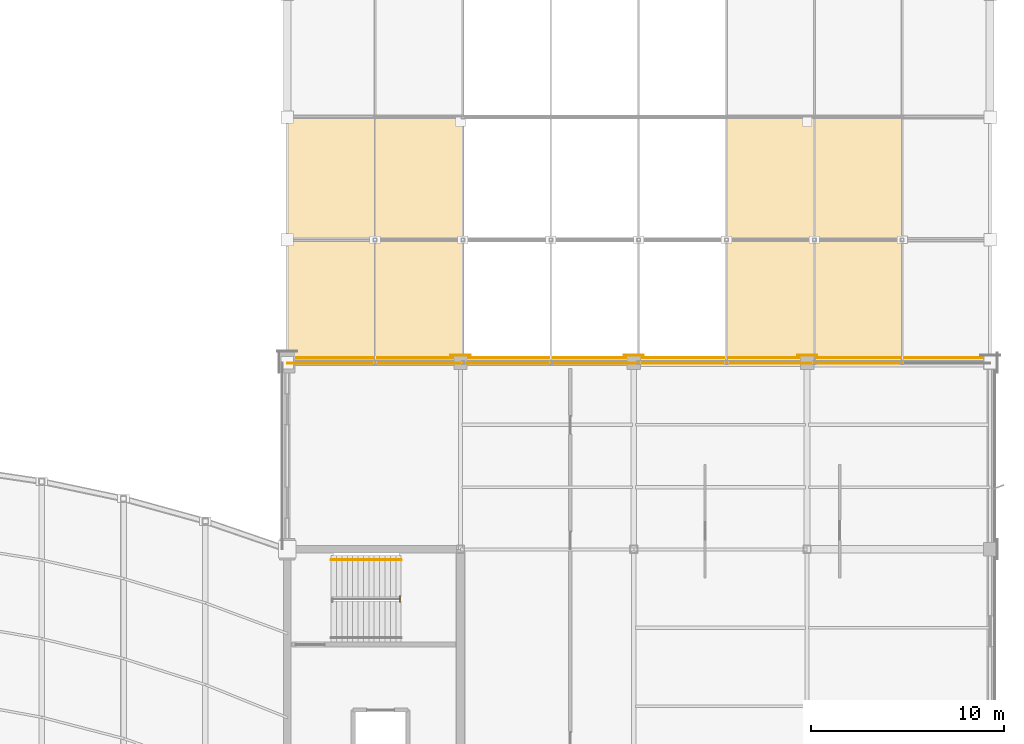
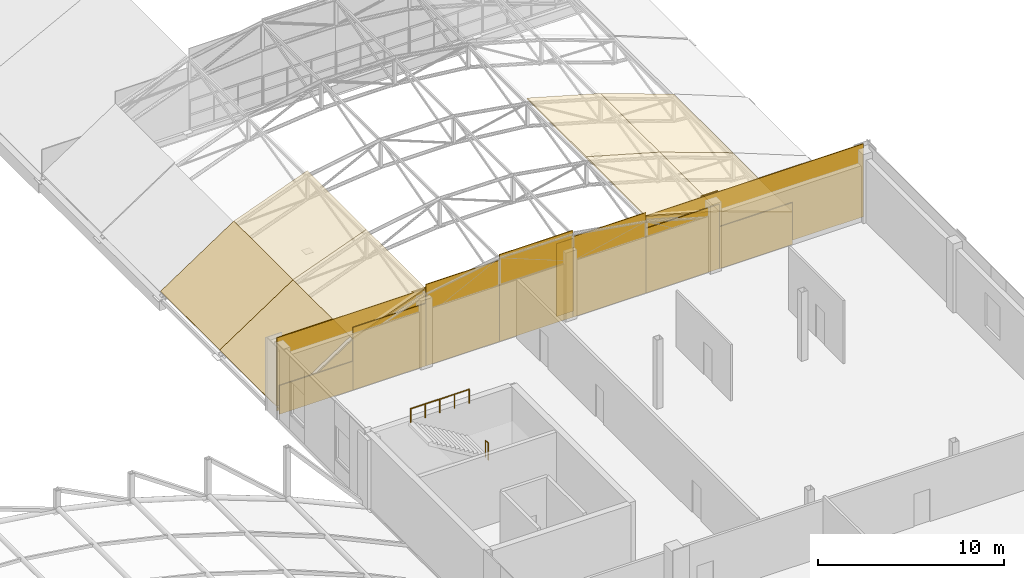
# One storey, part 99 of 101: 19 coverings, 2 railings.
"""IFC4 building model written with IfcOpenShell, lengths in metres."""

from ifc_helpers import new_model, si_unit, direction, frame, origin, origin_2d, place, context, subcontext, project, spatial, polyline, rectangle, circle, outline, extrude, material, layer, layer_set, type_object, element, save


model = new_model("IFC4")

# Units and contexts
model_context = context("Model", 3, precision=1e-05, world=origin(), true_north=direction((0.0, 1.0)))
body_context = subcontext(model_context, "Body", "Model", "MODEL_VIEW")
ifc_project = project(units=[si_unit("LENGTHUNIT", "METRE"), si_unit("AREAUNIT", "SQUARE_METRE"), si_unit("VOLUMEUNIT", "CUBIC_METRE"), si_unit("PLANEANGLEUNIT", "RADIAN"), si_unit("MASSUNIT", "GRAM", prefix="KILO")], contexts=[model_context])

# Site, building, storey
site_placement = place(None, origin())
site = spatial("IfcSite", under=ifc_project, at=site_placement, CompositionType="ELEMENT")
building_placement = place(site_placement, origin())
building = spatial("IfcBuilding", under=site, at=building_placement, Name="Solvikara Media Centre", CompositionType="ELEMENT")
storey_placement = place(building_placement, frame((0.0, 0.0, 10.199951171875)))
storey = spatial("IfcBuildingStorey", under=building, at=storey_placement, Name="L02", CompositionType="ELEMENT", Elevation=10.199951171875)

# Coverings
ifc_material_1 = material(Name="Insulated standing-seam aluminium-zinc acoustic roofing", Category="aluminium")
ifc_layer_1 = layer(ifc_material_1, 0.080078125)
ifc_layer_set_1 = layer_set([ifc_layer_1], Name="Insulated standing-seam aluminium-zinc acoustic roofing")
covering_type_1 = type_object("IfcCoveringType", Name="CV-03", PredefinedType="ROOFING", material=ifc_layer_set_1)
covering_1_placement = place(storey_placement, frame((127.5, 46.5, 0.280029296875), z_axis=(-0.552774199912, 0.0, 0.833331077011), x_axis=(0.833331077011, 0.0, 0.552774199912)))
element("IfcCovering", 1, at=covering_1_placement, inside=storey, type_object=covering_type_1, Name="CV-BSA-00-00", PredefinedType="ROOFING", context=body_context, shape_type="SweptSolid", body=[
    extrude(outline(polyline([(0.0, 0.0), (5.474428884992513, 0.0), (5.474428884992513, 6.375000000000002), (0.0, 6.375000000000002), (0.0, 0.0)])), origin(), (0.0, 0.0, -1.0), 0.080078125),
])
covering_2_placement = place(storey_placement, frame((132.06201171875, 46.5, 3.30615234375), z_axis=(-0.350914788699, 0.0, 0.936407395887), x_axis=(0.936407395887, 0.0, 0.350914788699)))
element("IfcCovering", 2, at=covering_2_placement, inside=storey, type_object=covering_type_1, Name="CV-BSA-00-01", PredefinedType="ROOFING", context=body_context, shape_type="SweptSolid", body=[
    extrude(outline(polyline([(0.0, 0.0), (4.872866554975697, 0.0), (4.872866554975697, 6.375), (0.0, 6.375), (0.0, 0.0)])), origin(), (0.0, 0.0, -1.0), 0.080078125),
])
covering_3_placement = place(storey_placement, frame((150.31201171875, 46.5, 5.007080078125), z_axis=(0.272626398556, 0.0, 0.962119975268), x_axis=(0.962119975268, 0.0, -0.272626398556)))
element("IfcCovering", 3, at=covering_3_placement, inside=storey, type_object=covering_type_1, Name="CV-BSA-00-05", PredefinedType="ROOFING", context=body_context, shape_type="SweptSolid", body=[
    extrude(outline(polyline([(0.0, 0.0), (4.7426395860640085, 0.0), (4.7426395860640085, 6.375), (0.0, 6.375), (0.0, 0.0)])), origin(), (0.0, 0.0, -1.0), 0.080078125),
])
covering_4_placement = place(storey_placement, frame((154.875, 46.5, 3.714111328125), z_axis=(0.338612503303, 0.0, 0.94092591239), x_axis=(0.94092591239, 0.0, -0.338612503303)))
element("IfcCovering", 4, at=covering_4_placement, inside=storey, type_object=covering_type_1, Name="CV-BSA-00-06", PredefinedType="ROOFING", context=body_context, shape_type="SweptSolid", body=[
    extrude(outline(polyline([(0.0, 0.0), (4.849466064400464, 0.0), (4.849466064400464, 6.375), (0.0, 6.375), (0.0, 0.0)])), origin(), (0.0, 0.0, -1.0), 0.080078125),
])
covering_5_placement = place(storey_placement, frame((127.5, 52.875, 0.280029296875), z_axis=(-0.552774199912, 0.0, 0.833331077011), x_axis=(0.833331077011, 0.0, 0.552774199912)))
element("IfcCovering", 5, at=covering_5_placement, inside=storey, type_object=covering_type_1, Name="CV-BSA-01-00", PredefinedType="ROOFING", context=body_context, shape_type="SweptSolid", body=[
    extrude(outline(polyline([(0.0, 0.0), (5.474428884992513, 0.0), (5.474428884992513, 6.375000000000002), (0.0, 6.375000000000002), (0.0, 0.0)])), origin(), (0.0, 0.0, -1.0), 0.080078125),
])
covering_6_placement = place(storey_placement, frame((132.06201171875, 52.875, 3.30615234375), z_axis=(-0.350914788699, 0.0, 0.936407395887), x_axis=(0.936407395887, 0.0, 0.350914788699)))
element("IfcCovering", 6, at=covering_6_placement, inside=storey, type_object=covering_type_1, Name="CV-BSA-01-01", PredefinedType="ROOFING", context=body_context, shape_type="SweptSolid", body=[
    extrude(outline(polyline([(0.0, 0.0), (4.872866554975697, 0.0), (4.872866554975697, 6.375), (0.0, 6.375), (0.0, 0.0)])), origin(), (0.0, 0.0, -1.0), 0.080078125),
])
covering_7_placement = place(storey_placement, frame((150.31201171875, 52.875, 5.007080078125), z_axis=(0.272626398556, 0.0, 0.962119975268), x_axis=(0.962119975268, 0.0, -0.272626398556)))
element("IfcCovering", 7, at=covering_7_placement, inside=storey, type_object=covering_type_1, Name="CV-BSA-01-05", PredefinedType="ROOFING", context=body_context, shape_type="SweptSolid", body=[
    extrude(outline(polyline([(0.0, 0.0), (4.7426395860640085, 0.0), (4.7426395860640085, 6.375), (0.0, 6.375), (0.0, 0.0)])), origin(), (0.0, 0.0, -1.0), 0.080078125),
])
covering_8_placement = place(storey_placement, frame((154.875, 52.875, 3.714111328125), z_axis=(0.338612503303, 0.0, 0.94092591239), x_axis=(0.94092591239, 0.0, -0.338612503303)))
element("IfcCovering", 8, at=covering_8_placement, inside=storey, type_object=covering_type_1, Name="CV-BSA-01-06", PredefinedType="ROOFING", context=body_context, shape_type="SweptSolid", body=[
    extrude(outline(polyline([(0.0, 0.0), (4.849466064400464, 0.0), (4.849466064400464, 6.375), (0.0, 6.375), (0.0, 0.0)])), origin(), (0.0, 0.0, -1.0), 0.080078125),
])
ifc_material_2 = material(Name="GFRC white mineral architectural rainscreen panel")
ifc_layer_2 = layer(ifc_material_2, 0.050048828125)
ifc_layer_set_2 = layer_set([ifc_layer_2], Name="GFRC white mineral architectural rainscreen panel")
covering_type_2 = type_object("IfcCoveringType", Name="CV-04", PredefinedType="CLADDING", material=ifc_layer_set_2)
for number, where, z_axis, x_axis, name in (
    (9, (136.5, 46.875, 0.0), (0.0, 0.0, 1.0), (-1.0, 0.0, 0.0), "PIL-L02-203"),
    (10, (145.5, 46.875, 0.0), (0.0, 0.0, 1.0), (-1.0, 0.0, 0.0), "PIL-L02-209"),
    (11, (154.5, 46.875, 0.0), (0.0, 0.0, 1.0), (-1.0, 0.0, 0.0), "PIL-L02-215"),
):
    element("IfcCovering", number, at=place(storey_placement, frame(where, z_axis=z_axis, x_axis=x_axis)), inside=storey, type_object=covering_type_2, Name=name, PredefinedType="CLADDING", context=body_context, shape_type="SweptSolid", body=[
        extrude(rectangle(XDim=1.0400390625, YDim=0.050048828125, at=origin_2d()), origin(), (0.0, 0.0, 1.0), 4.800048828125),
    ])
covering_9_placement = place(storey_placement, frame((129.781005859375, 46.4599609375, -0.0498046875), z_axis=(0.0, 0.0, 1.0), x_axis=(1.0, 0.0, 0.0)))
element("IfcCovering", 12, at=covering_9_placement, inside=storey, type_object=covering_type_2, Name="TYM-BSAS-00", PredefinedType="CLADDING", context=body_context, shape_type="SweptSolid", body=[
    extrude(rectangle(XDim=4.56201171875, YDim=0.050048828125, at=origin_2d()), origin(), (0.0, 0.0, 1.0), 1.889892578125),
])
covering_10_placement = place(storey_placement, frame((134.343994140625, 46.4599609375, -0.0498046875), z_axis=(0.0, 0.0, 1.0), x_axis=(1.0, 0.0, 0.0)))
element("IfcCovering", 13, at=covering_10_placement, inside=storey, type_object=covering_type_2, Name="TYM-BSAS-01", PredefinedType="CLADDING", context=body_context, shape_type="SweptSolid", body=[
    extrude(rectangle(XDim=4.56298828125, YDim=0.050048828125, at=origin_2d()), origin(), (0.0, 0.0, 1.0), 4.112060546875),
])
covering_11_placement = place(storey_placement, frame((138.906005859375, 46.4599609375, -0.050048828125), z_axis=(0.0, 0.0, 1.0), x_axis=(1.0, 0.0, 0.0)))
element("IfcCovering", 14, at=covering_11_placement, inside=storey, type_object=covering_type_2, Name="TYM-BSAS-02", PredefinedType="CLADDING", context=body_context, shape_type="SweptSolid", body=[
    extrude(rectangle(XDim=4.56298828125, YDim=0.050048828125, at=origin_2d()), origin(), (0.0, 0.0, 1.0), 5.35009765625),
])
covering_12_placement = place(storey_placement, frame((143.468994140625, 46.4599609375, -0.050048828125), z_axis=(0.0, 0.0, 1.0), x_axis=(1.0, 0.0, 0.0)))
element("IfcCovering", 15, at=covering_12_placement, inside=storey, type_object=covering_type_2, Name="TYM-BSAS-03", PredefinedType="CLADDING", context=body_context, shape_type="SweptSolid", body=[
    extrude(rectangle(XDim=4.56201171875, YDim=0.050048828125, at=origin_2d()), origin(), (0.0, 0.0, 1.0), 5.7080078125),
])
covering_13_placement = place(storey_placement, frame((148.031005859375, 46.4599609375, -0.049560546875), z_axis=(0.0, 0.0, 1.0), x_axis=(1.0, 0.0, 0.0)))
element("IfcCovering", 16, at=covering_13_placement, inside=storey, type_object=covering_type_2, Name="TYM-BSAS-04", PredefinedType="CLADDING", context=body_context, shape_type="SweptSolid", body=[
    extrude(rectangle(XDim=4.56201171875, YDim=0.050048828125, at=origin_2d()), origin(), (0.0, 0.0, 1.0), 5.291015625),
])
covering_14_placement = place(storey_placement, frame((152.593994140625, 46.4599609375, -0.050048828125), z_axis=(0.0, 0.0, 1.0), x_axis=(1.0, 0.0, 0.0)))
element("IfcCovering", 17, at=covering_14_placement, inside=storey, type_object=covering_type_2, Name="TYM-BSAS-05", PredefinedType="CLADDING", context=body_context, shape_type="SweptSolid", body=[
    extrude(rectangle(XDim=4.56298828125, YDim=0.050048828125, at=origin_2d()), origin(), (0.0, 0.0, 1.0), 4.24609375),
])
covering_15_placement = place(storey_placement, frame((157.156005859375, 46.4599609375, -0.05029296875), z_axis=(0.0, 0.0, 1.0), x_axis=(1.0, 0.0, 0.0)))
element("IfcCovering", 18, at=covering_15_placement, inside=storey, type_object=covering_type_2, Name="TYM-BSAS-06", PredefinedType="CLADDING", context=body_context, shape_type="SweptSolid", body=[
    extrude(rectangle(XDim=4.56298828125, YDim=0.050048828125, at=origin_2d()), origin(), (0.0, 0.0, 1.0), 2.7548828125),
])
covering_16_placement = place(storey_placement, frame((145.75, 46.7451171875, 0.0), z_axis=(0.0, 0.0, 1.0), x_axis=(1.0, 0.0, 0.0)))
element("IfcCovering", 19, at=covering_16_placement, inside=storey, type_object=covering_type_2, Name="L02-V5N-CV-F01", PredefinedType="CLADDING", context=body_context, shape_type="SweptSolid", body=[
    extrude(rectangle(XDim=36.5, YDim=0.050048828125, at=origin_2d()), origin(), (0.0, 0.0, 1.0), 4.800048828125),
])

# Railings
ifc_material_3 = material(Name="Steel S355JR", Category="steel")
railing_type_1 = type_object("IfcRailingType", Name="GR-02", PredefinedType="BALUSTRADE", material=ifc_material_3)
railing_1_placement = place(storey_placement, frame((133.360107421875, 34.080078125, 2.400146484375)))
element("IfcRailing", 20, at=railing_1_placement, inside=storey, type_object=railing_type_1, Name="GR-C4-L02-M", PredefinedType="BALUSTRADE", context=body_context, shape_type="SweptSolid", body=[
    extrude(circle(Radius=0.02392578125, at=origin_2d()), frame((0.0, 0.0, 1.09619140625), z_axis=(0.0, 1.0, 0.0), x_axis=(-1.0, 0.0, 0.0)), (0.0, 0.0, 1.0), 0.2900390625),
    extrude(circle(Radius=0.02099609375, at=origin_2d()), origin(), (0.0, 0.0, 1.0), 1.072021484375),
    extrude(circle(Radius=0.02099609375, at=origin_2d()), frame((0.0, 0.2900390625, 0.0)), (0.0, 0.0, 1.0), 1.072021484375),
])
railing_type_2 = type_object("IfcRailingType", Name="HR-01", PredefinedType="HANDRAIL", material=ifc_material_3)
railing_2_placement = place(storey_placement, frame((133.419921875, 36.25, 4.800048828125)))
element("IfcRailing", 21, at=railing_2_placement, inside=storey, type_object=railing_type_2, Name="HR-C4-L02-2", PredefinedType="HANDRAIL", context=body_context, shape_type="SweptSolid", body=[
    extrude(circle(Radius=0.02392578125, at=origin_2d()), frame((0.0, 0.0, 0.89599609375), z_axis=(-1.0, 0.0, 0.0), x_axis=(0.0, -1.0, 0.0)), (0.0, 0.0, 1.0), 3.639892578125),
    extrude(circle(Radius=0.02099609375, at=origin_2d()), origin(), (0.0, 0.0, 1.0), 0.871826171875),
    extrude(circle(Radius=0.02099609375, at=origin_2d()), frame((-0.909912109375, 0.0, 0.0)), (0.0, 0.0, 1.0), 0.871826171875),
    extrude(circle(Radius=0.02099609375, at=origin_2d()), frame((-1.81982421875, 0.0, 0.0)), (0.0, 0.0, 1.0), 0.871826171875),
    extrude(circle(Radius=0.02099609375, at=origin_2d()), frame((-2.72998046875, 0.0, 0.0)), (0.0, 0.0, 1.0), 0.871826171875),
    extrude(circle(Radius=0.02099609375, at=origin_2d()), frame((-3.639892578125, 0.0, 0.0)), (0.0, 0.0, 1.0), 0.871826171875),
])

save(model, "model.ifc")
